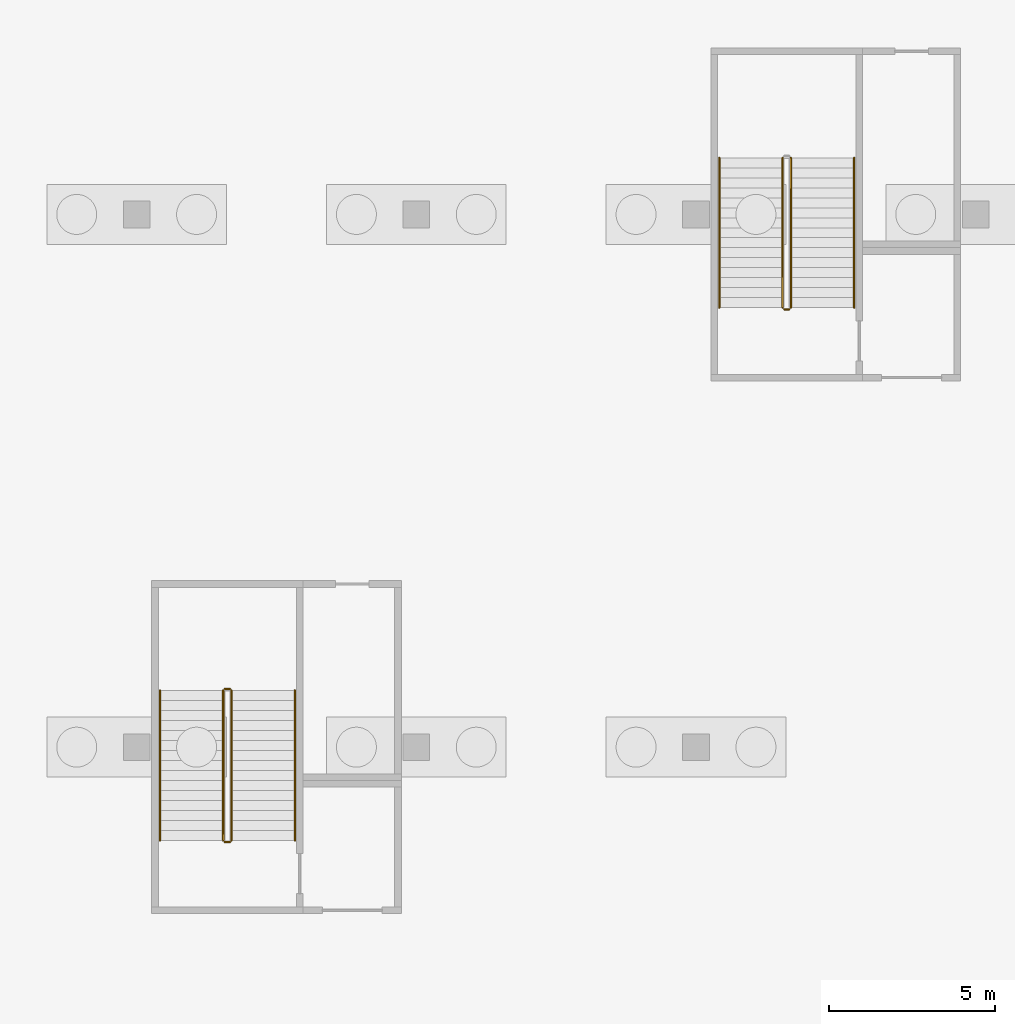
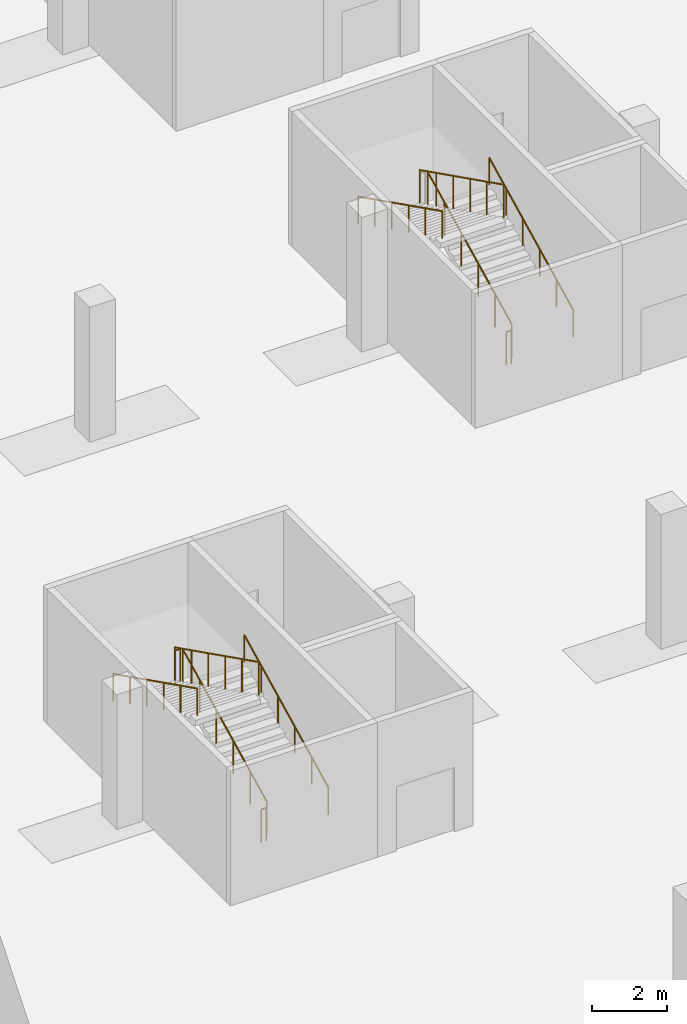
# One storey, part 30 of 46: 11 railings.
"""IFC4 building model written with IfcOpenShell, lengths in metres."""

from ifc_helpers import new_model, si_unit, direction, frame, origin, origin_2d, place, context, subcontext, project, spatial, circle, extrude, material, type_object, element, save


model = new_model("IFC4")

# Units and contexts
model_context = context("Model", 3, precision=1e-05, world=origin(), true_north=direction((0.0, 1.0)))
body_context = subcontext(model_context, "Body", "Model", "MODEL_VIEW")
ifc_project = project(units=[si_unit("LENGTHUNIT", "METRE"), si_unit("AREAUNIT", "SQUARE_METRE"), si_unit("VOLUMEUNIT", "CUBIC_METRE"), si_unit("PLANEANGLEUNIT", "RADIAN"), si_unit("MASSUNIT", "GRAM", prefix="KILO")], contexts=[model_context])

# Site, building, storey
site_placement = place(None, origin())
site = spatial("IfcSite", under=ifc_project, at=site_placement, CompositionType="ELEMENT")
building_placement = place(site_placement, origin())
building = spatial("IfcBuilding", under=site, at=building_placement, Name="Tamra Quay Hotel Tower", CompositionType="ELEMENT")
storey_placement = place(building_placement, frame((0.0, 0.0, -12.0)))
storey = spatial("IfcBuildingStorey", under=building, at=storey_placement, Name="B3", CompositionType="ELEMENT", Elevation=-12.0)

# Railings
ifc_material_1 = material(Name="Basement stair guard 1100")
railing_type_1 = type_object("IfcRailingType", Name="Basement stair guard 1100", PredefinedType="GUARDRAIL", material=ifc_material_1)
railing_1_placement = place(storey_placement, frame((-111.449951171875, -34.800048828125, 0.14990234375)))
element("IfcRailing", 1, at=railing_1_placement, inside=storey, type_object=railing_type_1, Name="BSG", PredefinedType="GUARDRAIL", context=body_context, shape_type="SweptSolid", body=[
    extrude(circle(Radius=0.02392578125, at=origin_2d()), frame((0.0, 0.0, 1.076171875), z_axis=(0.0, 0.894427191, 0.4472135955), x_axis=(-1.0, 0.0, 0.0)), (0.0, 0.0, 1.0), 5.03125),
    extrude(circle(Radius=0.02099609375, at=origin_2d()), origin(), (0.0, 0.0, 1.0), 1.052001953125),
    extrude(circle(Radius=0.02099609375, at=origin_2d()), frame((0.0, 0.89990234375, 0.449951171875)), (0.0, 0.0, 1.0), 1.052001953125),
    extrude(circle(Radius=0.02099609375, at=origin_2d()), frame((0.0, 1.800048828125, 0.89990234375)), (0.0, 0.0, 1.0), 1.052001953125),
    extrude(circle(Radius=0.02099609375, at=origin_2d()), frame((0.0, 2.699951171875, 1.35009765625)), (0.0, 0.0, 1.0), 1.052001953125),
    extrude(circle(Radius=0.02099609375, at=origin_2d()), frame((0.0, 3.60009765625, 1.800048828125)), (0.0, 0.0, 1.0), 1.052001953125),
    extrude(circle(Radius=0.02099609375, at=origin_2d()), frame((0.0, 4.5, 2.25)), (0.0, 0.0, 1.0), 1.052001953125),
])
railing_2_placement = place(storey_placement, frame((-111.5, -30.25, 2.39990234375)))
element("IfcRailing", 2, at=railing_2_placement, inside=storey, type_object=railing_type_1, Name="BSG", PredefinedType="GUARDRAIL", context=body_context, shape_type="SweptSolid", body=[
    extrude(circle(Radius=0.02392578125, at=origin_2d()), frame((0.0, 0.0, 1.076171875), z_axis=(-1.0, 0.0, 0.0), x_axis=(0.0, -1.0, 0.0)), (0.0, 0.0, 1.0), 0.14990234375),
    extrude(circle(Radius=0.02099609375, at=origin_2d()), origin(), (0.0, 0.0, 1.0), 1.052001953125),
    extrude(circle(Radius=0.02099609375, at=origin_2d()), frame((-0.14990234375, 0.0, 0.0)), (0.0, 0.0, 1.0), 1.052001953125),
])
railing_3_placement = place(storey_placement, frame((-111.699951171875, -30.300048828125, 2.550048828125)))
element("IfcRailing", 3, at=railing_3_placement, inside=storey, type_object=railing_type_1, Name="BSG", PredefinedType="GUARDRAIL", context=body_context, shape_type="SweptSolid", body=[
    extrude(circle(Radius=0.02392578125, at=origin_2d()), frame((0.0, 0.0, 1.076171875), z_axis=(0.0, -0.894427191, 0.4472135955), x_axis=(1.0, 0.0, 0.0)), (0.0, 0.0, 1.0), 5.03125),
    extrude(circle(Radius=0.02099609375, at=origin_2d()), origin(), (0.0, 0.0, 1.0), 1.052001953125),
    extrude(circle(Radius=0.02099609375, at=origin_2d()), frame((0.0, -0.89990234375, 0.449951171875)), (0.0, 0.0, 1.0), 1.052001953125),
    extrude(circle(Radius=0.02099609375, at=origin_2d()), frame((0.0, -1.800048828125, 0.89990234375)), (0.0, 0.0, 1.0), 1.052001953125),
    extrude(circle(Radius=0.02099609375, at=origin_2d()), frame((0.0, -2.699951171875, 1.35009765625)), (0.0, 0.0, 1.0), 1.052001953125),
    extrude(circle(Radius=0.02099609375, at=origin_2d()), frame((0.0, -3.60009765625, 1.800048828125)), (0.0, 0.0, 1.0), 1.052001953125),
    extrude(circle(Radius=0.02099609375, at=origin_2d()), frame((0.0, -4.5, 2.25)), (0.0, 0.0, 1.0), 1.052001953125),
])
railing_4_placement = place(storey_placement, frame((-111.5, -34.85009765625, 0.0)))
element("IfcRailing", 4, at=railing_4_placement, inside=storey, type_object=railing_type_1, Name="BSG", PredefinedType="GUARDRAIL", context=body_context, shape_type="SweptSolid", body=[
    extrude(circle(Radius=0.02392578125, at=origin_2d()), frame((0.0, 0.0, 1.076171875), z_axis=(-1.0, 0.0, 0.0), x_axis=(0.0, -1.0, 0.0)), (0.0, 0.0, 1.0), 0.14990234375),
    extrude(circle(Radius=0.02099609375, at=origin_2d()), origin(), (0.0, 0.0, 1.0), 1.052001953125),
    extrude(circle(Radius=0.02099609375, at=origin_2d()), frame((-0.14990234375, 0.0, 0.0)), (0.0, 0.0, 1.0), 1.052001953125),
])
railing_5_placement = place(storey_placement, frame((-94.64990234375, -18.800048828125, 0.14990234375)))
element("IfcRailing", 5, at=railing_5_placement, inside=storey, type_object=railing_type_1, Name="BSG", PredefinedType="GUARDRAIL", context=body_context, shape_type="SweptSolid", body=[
    extrude(circle(Radius=0.02392578125, at=origin_2d()), frame((0.0, 0.0, 1.076171875), z_axis=(0.0, 0.894427191, 0.4472135955), x_axis=(-1.0, 0.0, 0.0)), (0.0, 0.0, 1.0), 5.03125),
    extrude(circle(Radius=0.02099609375, at=origin_2d()), origin(), (0.0, 0.0, 1.0), 1.052001953125),
    extrude(circle(Radius=0.02099609375, at=origin_2d()), frame((0.0, 0.89990234375, 0.449951171875)), (0.0, 0.0, 1.0), 1.052001953125),
    extrude(circle(Radius=0.02099609375, at=origin_2d()), frame((0.0, 1.800048828125, 0.89990234375)), (0.0, 0.0, 1.0), 1.052001953125),
    extrude(circle(Radius=0.02099609375, at=origin_2d()), frame((0.0, 2.699951171875, 1.35009765625)), (0.0, 0.0, 1.0), 1.052001953125),
    extrude(circle(Radius=0.02099609375, at=origin_2d()), frame((0.0, 3.60009765625, 1.800048828125)), (0.0, 0.0, 1.0), 1.052001953125),
    extrude(circle(Radius=0.02099609375, at=origin_2d()), frame((0.0, 4.5, 2.25)), (0.0, 0.0, 1.0), 1.052001953125),
])
railing_6_placement = place(storey_placement, frame((-94.89990234375, -14.300048828125, 2.550048828125)))
element("IfcRailing", 6, at=railing_6_placement, inside=storey, type_object=railing_type_1, Name="BSG", PredefinedType="GUARDRAIL", context=body_context, shape_type="SweptSolid", body=[
    extrude(circle(Radius=0.02392578125, at=origin_2d()), frame((0.0, 0.0, 1.076171875), z_axis=(0.0, -0.894427191, 0.4472135955), x_axis=(1.0, 0.0, 0.0)), (0.0, 0.0, 1.0), 5.03125),
    extrude(circle(Radius=0.02099609375, at=origin_2d()), origin(), (0.0, 0.0, 1.0), 1.052001953125),
    extrude(circle(Radius=0.02099609375, at=origin_2d()), frame((0.0, -0.89990234375, 0.449951171875)), (0.0, 0.0, 1.0), 1.052001953125),
    extrude(circle(Radius=0.02099609375, at=origin_2d()), frame((0.0, -1.800048828125, 0.89990234375)), (0.0, 0.0, 1.0), 1.052001953125),
    extrude(circle(Radius=0.02099609375, at=origin_2d()), frame((0.0, -2.699951171875, 1.35009765625)), (0.0, 0.0, 1.0), 1.052001953125),
    extrude(circle(Radius=0.02099609375, at=origin_2d()), frame((0.0, -3.60009765625, 1.800048828125)), (0.0, 0.0, 1.0), 1.052001953125),
    extrude(circle(Radius=0.02099609375, at=origin_2d()), frame((0.0, -4.5, 2.25)), (0.0, 0.0, 1.0), 1.052001953125),
])
railing_7_placement = place(storey_placement, frame((-94.699951171875, -18.85009765625, 0.0)))
element("IfcRailing", 7, at=railing_7_placement, inside=storey, type_object=railing_type_1, Name="BSG", PredefinedType="GUARDRAIL", context=body_context, shape_type="SweptSolid", body=[
    extrude(circle(Radius=0.02392578125, at=origin_2d()), frame((0.0, 0.0, 1.076171875), z_axis=(-1.0, 0.0, 0.0), x_axis=(0.0, -1.0, 0.0)), (0.0, 0.0, 1.0), 0.150146484375),
    extrude(circle(Radius=0.02099609375, at=origin_2d()), origin(), (0.0, 0.0, 1.0), 1.052001953125),
    extrude(circle(Radius=0.02099609375, at=origin_2d()), frame((-0.150146484375, 0.0, 0.0)), (0.0, 0.0, 1.0), 1.052001953125),
])
ifc_material_2 = material(Name="Basement stair handrail 900")
railing_type_2 = type_object("IfcRailingType", Name="Basement stair handrail 900", PredefinedType="HANDRAIL", material=ifc_material_2)
railing_8_placement = place(storey_placement, frame((-109.550048828125, -34.800048828125, 0.14990234375)))
element("IfcRailing", 8, at=railing_8_placement, inside=storey, type_object=railing_type_2, Name="BSH", PredefinedType="HANDRAIL", context=body_context, shape_type="SweptSolid", body=[
    extrude(circle(Radius=0.02392578125, at=origin_2d()), frame((0.0, 0.0, 0.8759765625), z_axis=(0.0, 0.894427191, 0.4472135955), x_axis=(-1.0, 0.0, 0.0)), (0.0, 0.0, 1.0), 5.03125),
    extrude(circle(Radius=0.02099609375, at=origin_2d()), origin(), (0.0, 0.0, 1.0), 0.851806640625),
    extrude(circle(Radius=0.02099609375, at=origin_2d()), frame((0.0, 0.89990234375, 0.449951171875)), (0.0, 0.0, 1.0), 0.851806640625),
    extrude(circle(Radius=0.02099609375, at=origin_2d()), frame((0.0, 1.800048828125, 0.89990234375)), (0.0, 0.0, 1.0), 0.851806640625),
    extrude(circle(Radius=0.02099609375, at=origin_2d()), frame((0.0, 2.699951171875, 1.35009765625)), (0.0, 0.0, 1.0), 0.851806640625),
    extrude(circle(Radius=0.02099609375, at=origin_2d()), frame((0.0, 3.60009765625, 1.800048828125)), (0.0, 0.0, 1.0), 0.851806640625),
    extrude(circle(Radius=0.02099609375, at=origin_2d()), frame((0.0, 4.5, 2.25)), (0.0, 0.0, 1.0), 0.851806640625),
])
railing_9_placement = place(storey_placement, frame((-113.60009765625, -30.300048828125, 2.550048828125)))
element("IfcRailing", 9, at=railing_9_placement, inside=storey, type_object=railing_type_2, Name="BSH", PredefinedType="HANDRAIL", context=body_context, shape_type="SweptSolid", body=[
    extrude(circle(Radius=0.02392578125, at=origin_2d()), frame((0.0, 0.0, 0.8759765625), z_axis=(0.0, -0.894427191, 0.4472135955), x_axis=(1.0, 0.0, 0.0)), (0.0, 0.0, 1.0), 5.03125),
    extrude(circle(Radius=0.02099609375, at=origin_2d()), origin(), (0.0, 0.0, 1.0), 0.851806640625),
    extrude(circle(Radius=0.02099609375, at=origin_2d()), frame((0.0, -0.89990234375, 0.449951171875)), (0.0, 0.0, 1.0), 0.851806640625),
    extrude(circle(Radius=0.02099609375, at=origin_2d()), frame((0.0, -1.800048828125, 0.89990234375)), (0.0, 0.0, 1.0), 0.851806640625),
    extrude(circle(Radius=0.02099609375, at=origin_2d()), frame((0.0, -2.699951171875, 1.35009765625)), (0.0, 0.0, 1.0), 0.851806640625),
    extrude(circle(Radius=0.02099609375, at=origin_2d()), frame((0.0, -3.60009765625, 1.800048828125)), (0.0, 0.0, 1.0), 0.851806640625),
    extrude(circle(Radius=0.02099609375, at=origin_2d()), frame((0.0, -4.5, 2.25)), (0.0, 0.0, 1.0), 0.851806640625),
])
railing_10_placement = place(storey_placement, frame((-92.75, -18.800048828125, 0.14990234375)))
element("IfcRailing", 10, at=railing_10_placement, inside=storey, type_object=railing_type_2, Name="BSH", PredefinedType="HANDRAIL", context=body_context, shape_type="SweptSolid", body=[
    extrude(circle(Radius=0.02392578125, at=origin_2d()), frame((0.0, 0.0, 0.8759765625), z_axis=(0.0, 0.894427191, 0.4472135955), x_axis=(-1.0, 0.0, 0.0)), (0.0, 0.0, 1.0), 5.03125),
    extrude(circle(Radius=0.02099609375, at=origin_2d()), origin(), (0.0, 0.0, 1.0), 0.851806640625),
    extrude(circle(Radius=0.02099609375, at=origin_2d()), frame((0.0, 0.89990234375, 0.449951171875)), (0.0, 0.0, 1.0), 0.851806640625),
    extrude(circle(Radius=0.02099609375, at=origin_2d()), frame((0.0, 1.800048828125, 0.89990234375)), (0.0, 0.0, 1.0), 0.851806640625),
    extrude(circle(Radius=0.02099609375, at=origin_2d()), frame((0.0, 2.699951171875, 1.35009765625)), (0.0, 0.0, 1.0), 0.851806640625),
    extrude(circle(Radius=0.02099609375, at=origin_2d()), frame((0.0, 3.60009765625, 1.800048828125)), (0.0, 0.0, 1.0), 0.851806640625),
    extrude(circle(Radius=0.02099609375, at=origin_2d()), frame((0.0, 4.5, 2.25)), (0.0, 0.0, 1.0), 0.851806640625),
])
railing_11_placement = place(storey_placement, frame((-96.800048828125, -14.300048828125, 2.550048828125)))
element("IfcRailing", 11, at=railing_11_placement, inside=storey, type_object=railing_type_2, Name="BSH", PredefinedType="HANDRAIL", context=body_context, shape_type="SweptSolid", body=[
    extrude(circle(Radius=0.02392578125, at=origin_2d()), frame((0.0, 0.0, 0.8759765625), z_axis=(0.0, -0.894427191, 0.4472135955), x_axis=(1.0, 0.0, 0.0)), (0.0, 0.0, 1.0), 5.03125),
    extrude(circle(Radius=0.02099609375, at=origin_2d()), origin(), (0.0, 0.0, 1.0), 0.851806640625),
    extrude(circle(Radius=0.02099609375, at=origin_2d()), frame((0.0, -0.89990234375, 0.449951171875)), (0.0, 0.0, 1.0), 0.851806640625),
    extrude(circle(Radius=0.02099609375, at=origin_2d()), frame((0.0, -1.800048828125, 0.89990234375)), (0.0, 0.0, 1.0), 0.851806640625),
    extrude(circle(Radius=0.02099609375, at=origin_2d()), frame((0.0, -2.699951171875, 1.35009765625)), (0.0, 0.0, 1.0), 0.851806640625),
    extrude(circle(Radius=0.02099609375, at=origin_2d()), frame((0.0, -3.60009765625, 1.800048828125)), (0.0, 0.0, 1.0), 0.851806640625),
    extrude(circle(Radius=0.02099609375, at=origin_2d()), frame((0.0, -4.5, 2.25)), (0.0, 0.0, 1.0), 0.851806640625),
])

save(model, "model.ifc")
